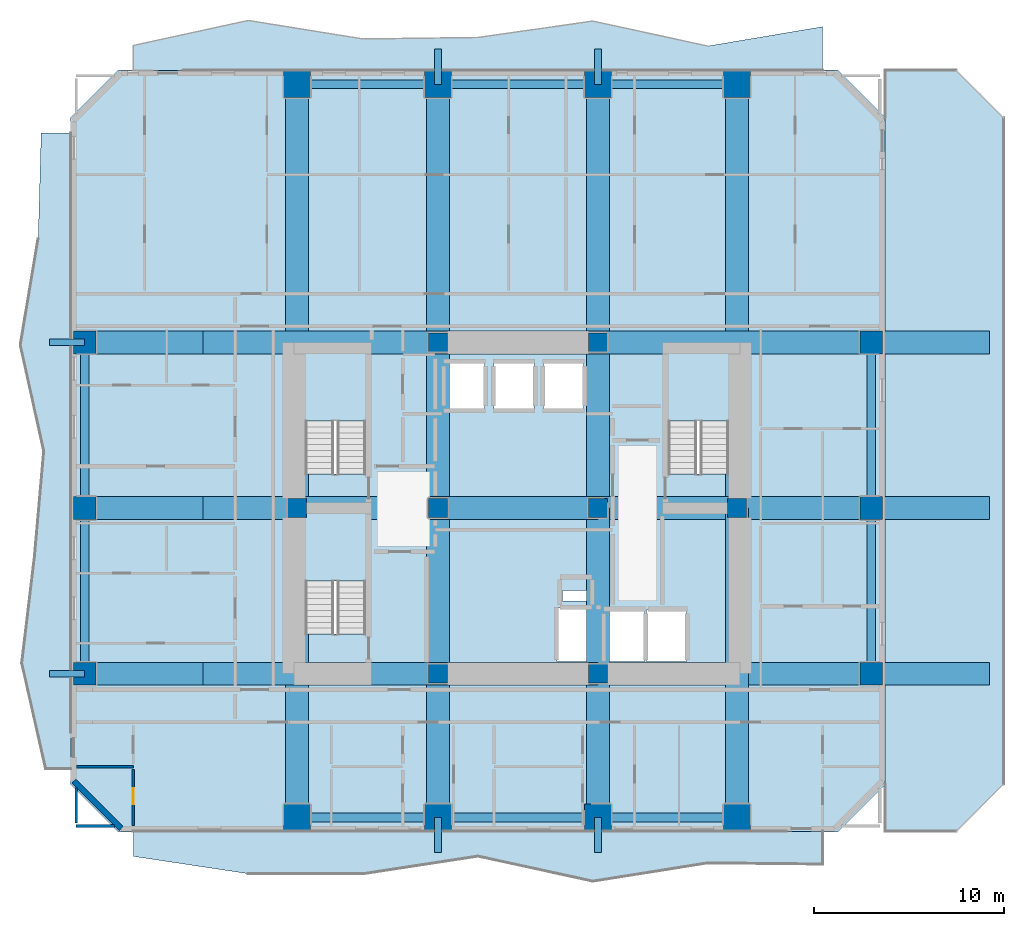
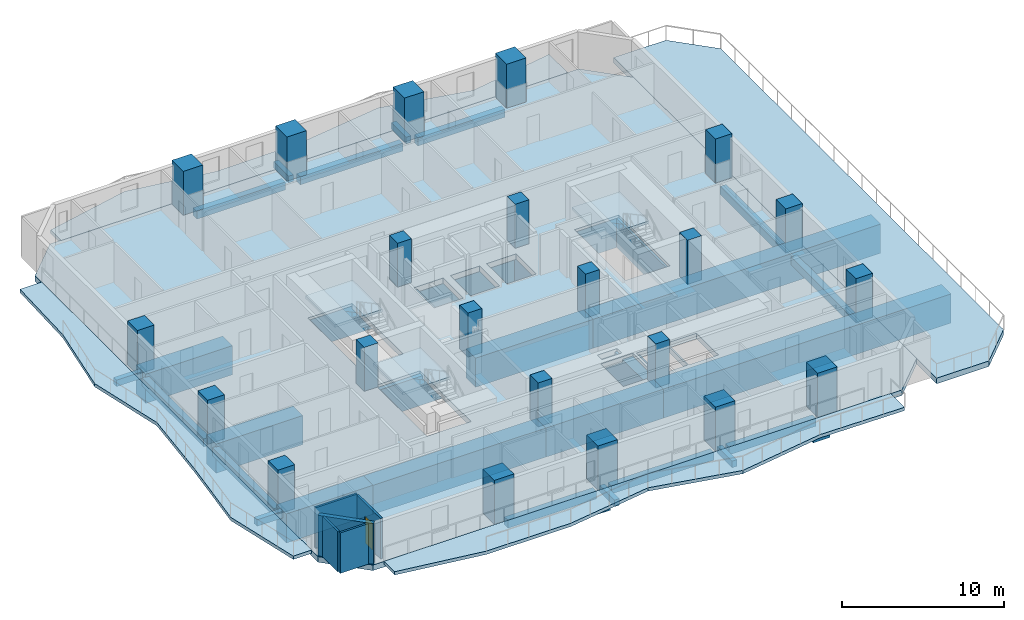
# One storey, part 1 of 12: 36 beams, 22 columns, 8 slabs, 5 walls, 1 door, 1 opening, 3 elements without a shape of their own.
"""IFC4 building model written with IfcOpenShell, lengths in metres."""

from ifc_helpers import new_model, si_unit, direction, frame, frame_2d, origin, origin_2d, place, context, subcontext, project, spatial, polyline, rectangle, outline, extrude, material, layer, layer_set, material_profile, profile_set, type_object, element, fill, aggregate, save


model = new_model("IFC4")

# Units and contexts
model_context = context("Model", 3, precision=1e-05, world=origin(), true_north=direction((0.0, 1.0)))
body_context = subcontext(model_context, "Body", "Model", "MODEL_VIEW")
ifc_project = project(units=[si_unit("LENGTHUNIT", "METRE"), si_unit("AREAUNIT", "SQUARE_METRE"), si_unit("VOLUMEUNIT", "CUBIC_METRE"), si_unit("PLANEANGLEUNIT", "RADIAN"), si_unit("MASSUNIT", "GRAM", prefix="KILO")], contexts=[model_context])

# Site, building, storey
site_placement = place(None, origin())
site = spatial("IfcSite", under=ifc_project, at=site_placement, CompositionType="ELEMENT")
building_placement = place(site_placement, origin())
building = spatial("IfcBuilding", under=site, at=building_placement, Name="Solanera Arch Residences", CompositionType="ELEMENT")
storey_placement = place(building_placement, frame((0.0, 0.0, 81.760009765625)))
storey = spatial("IfcBuildingStorey", under=building, at=storey_placement, Name="L23", CompositionType="ELEMENT", Elevation=81.760009765625)

# Columns
ifc_material_1 = material(Name="Concrete C55/67 (f'c = 60 MPa)", Category="concrete")
ifc_material_profile_1 = material_profile(ifc_material_1, rectangle(XDim=1.0, YDim=1.0, at=origin_2d()))
ifc_profile_set_1 = profile_set([ifc_material_profile_1], Name="Concrete C55/67 (f'c = 60 MPa)")
column_type_1 = type_object("IfcColumnType", Name="Structural Column RC-COL-1000X1000", PredefinedType="COLUMN", material=ifc_profile_set_1)
for number, where, z_axis, x_axis, name in (
    (1, (20.800048828125, 22.0, 0.0), (0.0, 0.0, 1.0), (1.0, 0.0, 0.0), "COL-L23-CB-SW"),
    (2, (29.199951171875, 22.0, 0.0), (0.0, 0.0, 1.0), (1.0, 0.0, 0.0), "COL-L23-CB-SE"),
    (3, (20.800048828125, 39.39990234375, 0.0), (0.0, 0.0, 1.0), (1.0, 0.0, 0.0), "COL-L23-CB-NW"),
    (4, (29.199951171875, 39.39990234375, 0.0), (0.0, 0.0, 1.0), (1.0, 0.0, 0.0), "COL-L23-CB-NE"),
    (5, (13.39990234375, 30.699951171875, 0.0), (0.0, 0.0, 1.0), (1.0, 0.0, 0.0), "COL-L23-CB-WW"),
    (6, (36.5, 30.699951171875, 0.0), (0.0, 0.0, 1.0), (1.0, 0.0, 0.0), "COL-L23-CB-EE"),
    (7, (20.800048828125, 30.699951171875, 0.0), (0.0, 0.0, 1.0), (1.0, 0.0, 0.0), "COL-L23-CORE-W"),
    (8, (29.199951171875, 30.699951171875, 0.0), (0.0, 0.0, 1.0), (1.0, 0.0, 0.0), "COL-L23-CORE-E"),
):
    element("IfcColumn", number, at=place(storey_placement, frame(where, z_axis=z_axis, x_axis=x_axis)), inside=storey, type_object=column_type_1, Name=name, PredefinedType="COLUMN", context=body_context, shape_type="SweptSolid", body=[
        extrude(rectangle(XDim=1.0, YDim=1.0, at=origin_2d()), origin(), (0.0, 0.0, 1.0), 3.320068359375),
    ])
ifc_material_2 = material(Name="Concrete C55/67 (f'c = 60 MPa)", Category="concrete")
ifc_material_profile_2 = material_profile(ifc_material_2, rectangle(XDim=1.199951171875, YDim=1.199951171875, at=origin_2d()))
ifc_profile_set_2 = profile_set([ifc_material_profile_2], Name="Concrete C55/67 (f'c = 60 MPa)")
column_type_2 = type_object("IfcColumnType", Name="Structural Column RC-COL-1200X1200", PredefinedType="COLUMN", material=ifc_profile_set_2)
for number, where, z_axis, x_axis, name in (
    (9, (2.25, 22.0, -0.199951171875), (0.0, 0.0, 1.0), (1.0, 0.0, 0.0), "COL-L23-TWR-09"),
    (10, (43.550048828125, 22.0, -0.199951171875), (0.0, 0.0, 1.0), (1.0, 0.0, 0.0), "COL-L23-TWR-10"),
    (11, (2.25, 30.699951171875, -0.199951171875), (0.0, 0.0, 1.0), (1.0, 0.0, 0.0), "COL-L23-TWR-11"),
    (12, (43.550048828125, 30.699951171875, -0.199951171875), (0.0, 0.0, 1.0), (1.0, 0.0, 0.0), "COL-L23-TWR-12"),
    (13, (2.25, 39.39990234375, -0.199951171875), (0.0, 0.0, 1.0), (1.0, 0.0, 0.0), "COL-L23-TWR-13"),
    (14, (43.550048828125, 39.39990234375, -0.199951171875), (0.0, 0.0, 1.0), (1.0, 0.0, 0.0), "COL-L23-TWR-14"),
):
    element("IfcColumn", number, at=place(storey_placement, frame(where, z_axis=z_axis, x_axis=x_axis)), inside=storey, type_object=column_type_2, Name=name, PredefinedType="COLUMN", context=body_context, shape_type="SweptSolid", body=[
        extrude(rectangle(XDim=1.199951171875, YDim=1.199951171875, at=origin_2d()), origin(), (0.0, 0.0, 1.0), 3.52001953125),
    ])
ifc_material_3 = material(Name="Concrete C55/67 (f'c = 60 MPa)", Category="concrete")
ifc_material_profile_3 = material_profile(ifc_material_3, rectangle(XDim=1.39990234375, YDim=1.39990234375, at=origin_2d()))
ifc_profile_set_3 = profile_set([ifc_material_profile_3], Name="Concrete C55/67 (f'c = 60 MPa)")
column_type_3 = type_object("IfcColumnType", Name="Structural Column RC-COL-1400X1400", PredefinedType="COLUMN", material=ifc_profile_set_3)
for number, where, z_axis, x_axis, name in (
    (15, (13.39990234375, 14.449951171875, -0.199951171875), (0.0, 0.0, 1.0), (1.0, 0.0, 0.0), "COL-L23-TWR-01"),
    (16, (13.39990234375, 52.949951171875, -0.199951171875), (0.0, 0.0, 1.0), (1.0, 0.0, 0.0), "COL-L23-TWR-02"),
    (17, (20.800048828125, 14.449951171875, -0.199951171875), (0.0, 0.0, 1.0), (1.0, 0.0, 0.0), "COL-L23-TWR-03"),
    (18, (20.800048828125, 52.949951171875, -0.199951171875), (0.0, 0.0, 1.0), (1.0, 0.0, 0.0), "COL-L23-TWR-04"),
    (19, (29.199951171875, 14.449951171875, -0.199951171875), (0.0, 0.0, 1.0), (1.0, 0.0, 0.0), "COL-L23-TWR-05"),
    (20, (29.199951171875, 52.949951171875, -0.199951171875), (0.0, 0.0, 1.0), (1.0, 0.0, 0.0), "COL-L23-TWR-06"),
    (21, (36.5, 14.449951171875, -0.199951171875), (0.0, 0.0, 1.0), (1.0, 0.0, 0.0), "COL-L23-TWR-07"),
    (22, (36.5, 52.949951171875, -0.199951171875), (0.0, 0.0, 1.0), (1.0, 0.0, 0.0), "COL-L23-TWR-08"),
):
    element("IfcColumn", number, at=place(storey_placement, frame(where, z_axis=z_axis, x_axis=x_axis)), inside=storey, type_object=column_type_3, Name=name, PredefinedType="COLUMN", context=body_context, shape_type="SweptSolid", body=[
        extrude(rectangle(XDim=1.39990234375, YDim=1.39990234375, at=origin_2d()), origin(), (0.0, 0.0, 1.0), 3.52001953125),
    ])

# Beams
ifc_material_4 = material(Name="Concrete C40/50 (f'c = 45 MPa)", Category="concrete")
ifc_material_profile_4 = material_profile(ifc_material_4, rectangle(XDim=0.35009765625, YDim=0.5, at=origin_2d()))
ifc_profile_set_4 = profile_set([ifc_material_profile_4], Name="Concrete C40/50 (f'c = 45 MPa)")
beam_type_1 = type_object("IfcBeamType", Name="BM-BALC-RIB", PredefinedType="BEAM", material=ifc_profile_set_4)
for number, where, z_axis, x_axis, name in (
    (23, (20.800048828125, 12.60009765625, -0.5), (0.0, 1.0, 0.0), (-1.0, 0.0, 0.0), "BM-L23-BRIB-S1"),
    (24, (29.199951171875, 12.60009765625, -0.5), (0.0, 1.0, 0.0), (-1.0, 0.0, 0.0), "BM-L23-BRIB-S2"),
):
    element("IfcBeam", number, at=place(storey_placement, frame(where, z_axis=z_axis, x_axis=x_axis)), inside=storey, type_object=beam_type_1, Name=name, PredefinedType="BEAM", context=body_context, shape_type="SweptSolid", body=[
        extrude(rectangle(XDim=0.35009765625, YDim=0.5, at=origin_2d()), origin(), (0.0, 0.0, 1.0), 1.849853515625),
    ])
for number, where, z_axis, x_axis, name in (
    (25, (20.800048828125, 52.949951171875, -0.5), (0.0, 1.0, 0.0), (-1.0, 0.0, 0.0), "BM-L23-BRIB-N1"),
    (26, (29.199951171875, 52.949951171875, -0.5), (0.0, 1.0, 0.0), (-1.0, 0.0, 0.0), "BM-L23-BRIB-N2"),
    (27, (0.39990234375, 22.0, -0.5), (1.0, 0.0, 0.0), (0.0, 1.0, 0.0), "BM-L23-BRIB-W1"),
    (28, (0.39990234375, 39.39990234375, -0.5), (1.0, 0.0, 0.0), (0.0, 1.0, 0.0), "BM-L23-BRIB-W2"),
):
    element("IfcBeam", number, at=place(storey_placement, frame(where, z_axis=z_axis, x_axis=x_axis)), inside=storey, type_object=beam_type_1, Name=name, PredefinedType="BEAM", context=body_context, shape_type="SweptSolid", body=[
        extrude(rectangle(XDim=0.35009765625, YDim=0.5, at=origin_2d()), origin(), (0.0, 0.0, 1.0), 1.85009765625),
    ])
ifc_material_5 = material(Name="Concrete C55/67 (f'c = 60 MPa)", Category="concrete")
ifc_material_profile_5 = material_profile(ifc_material_5, rectangle(XDim=1.199951171875, YDim=2.199951171875, at=origin_2d()))
ifc_profile_set_5 = profile_set([ifc_material_profile_5], Name="Concrete C55/67 (f'c = 60 MPa)")
beam_type_2 = type_object("IfcBeamType", Name="BM-CANT-BLOCK", PredefinedType="BEAM", material=ifc_profile_set_5)
for number, where, z_axis, x_axis, name in (
    (29, (2.25, 22.0, -1.300048828125), (1.0, 0.0, 0.0), (0.0, 1.0, 0.0), "BM-L23-CANT-EW-W-220"),
    (30, (2.25, 30.699951171875, -1.300048828125), (1.0, 0.0, 0.0), (0.0, 1.0, 0.0), "BM-L23-CANT-EW-W-307"),
    (31, (2.25, 39.39990234375, -1.300048828125), (1.0, 0.0, 0.0), (0.0, 1.0, 0.0), "BM-L23-CANT-EW-W-394"),
):
    element("IfcBeam", number, at=place(storey_placement, frame(where, z_axis=z_axis, x_axis=x_axis)), inside=storey, type_object=beam_type_2, Name=name, PredefinedType="BEAM", context=body_context, shape_type="SweptSolid", body=[
        extrude(rectangle(XDim=1.199951171875, YDim=2.199951171875, at=origin_2d()), origin(), (0.0, 0.0, 1.0), 6.199951171875),
    ])
ifc_material_6 = material(Name="Concrete C40/50 (f'c = 45 MPa)", Category="concrete")
ifc_material_profile_6 = material_profile(ifc_material_6, rectangle(XDim=0.449951171875, YDim=0.60009765625, at=origin_2d()))
ifc_profile_set_6 = profile_set([ifc_material_profile_6], Name="Concrete C40/50 (f'c = 45 MPa)")
beam_type_3 = type_object("IfcBeamType", Name="Spandrel Beam RC-BM-450X600", PredefinedType="SPANDREL", material=ifc_profile_set_6)
for number, where, z_axis, x_axis, name in (
    (32, (13.93994140625, 14.449951171875, -0.719970703125), (1.0, 0.0, 0.0), (0.0, 1.0, 0.0), "BM-L23-XRING-S-1"),
    (33, (13.93994140625, 52.949951171875, -0.719970703125), (1.0, 0.0, 0.0), (0.0, 1.0, 0.0), "BM-L23-XRING-N-1"),
):
    element("IfcBeam", number, at=place(storey_placement, frame(where, z_axis=z_axis, x_axis=x_axis)), inside=storey, type_object=beam_type_3, Name=name, PredefinedType="SPANDREL", context=body_context, shape_type="SweptSolid", body=[
        extrude(rectangle(XDim=0.449951171875, YDim=0.60009765625, at=origin_2d()), origin(), (0.0, 0.0, 1.0), 6.320068359375),
    ])
for number, where, z_axis, x_axis, name in (
    (34, (21.340087890625, 14.449951171875, -0.719970703125), (1.0, 0.0, 0.0), (0.0, 1.0, 0.0), "BM-L23-XRING-S-2"),
    (35, (21.340087890625, 52.949951171875, -0.719970703125), (1.0, 0.0, 0.0), (0.0, 1.0, 0.0), "BM-L23-XRING-N-2"),
):
    element("IfcBeam", number, at=place(storey_placement, frame(where, z_axis=z_axis, x_axis=x_axis)), inside=storey, type_object=beam_type_3, Name=name, PredefinedType="SPANDREL", context=body_context, shape_type="SweptSolid", body=[
        extrude(rectangle(XDim=0.449951171875, YDim=0.60009765625, at=origin_2d()), origin(), (0.0, 0.0, 1.0), 7.31982421875),
    ])
for number, where, z_axis, x_axis, name in (
    (36, (29.739990234375, 14.449951171875, -0.719970703125), (1.0, 0.0, 0.0), (0.0, 1.0, 0.0), "BM-L23-XRING-S-3"),
    (37, (29.739990234375, 52.949951171875, -0.719970703125), (1.0, 0.0, 0.0), (0.0, 1.0, 0.0), "BM-L23-XRING-N-3"),
):
    element("IfcBeam", number, at=place(storey_placement, frame(where, z_axis=z_axis, x_axis=x_axis)), inside=storey, type_object=beam_type_3, Name=name, PredefinedType="SPANDREL", context=body_context, shape_type="SweptSolid", body=[
        extrude(rectangle(XDim=0.449951171875, YDim=0.60009765625, at=origin_2d()), origin(), (0.0, 0.0, 1.0), 6.219970703125),
    ])
for number, where, z_axis, x_axis, name in (
    (38, (2.25, 22.5400390625, -0.719970703125), (0.0, 1.0, 0.0), (-1.0, 0.0, 0.0), "BM-L23-XRING-W-1"),
    (39, (43.550048828125, 22.5400390625, -0.719970703125), (0.0, 1.0, 0.0), (-1.0, 0.0, 0.0), "BM-L23-XRING-E-1"),
):
    element("IfcBeam", number, at=place(storey_placement, frame(where, z_axis=z_axis, x_axis=x_axis)), inside=storey, type_object=beam_type_3, Name=name, PredefinedType="SPANDREL", context=body_context, shape_type="SweptSolid", body=[
        extrude(rectangle(XDim=0.449951171875, YDim=0.60009765625, at=origin_2d()), origin(), (0.0, 0.0, 1.0), 7.619873046875),
    ])
for number, where, z_axis, x_axis, name in (
    (40, (2.25, 31.239990234375, -0.719970703125), (0.0, 1.0, 0.0), (-1.0, 0.0, 0.0), "BM-L23-XRING-W-2"),
    (41, (43.550048828125, 31.239990234375, -0.719970703125), (0.0, 1.0, 0.0), (-1.0, 0.0, 0.0), "BM-L23-XRING-E-2"),
):
    element("IfcBeam", number, at=place(storey_placement, frame(where, z_axis=z_axis, x_axis=x_axis)), inside=storey, type_object=beam_type_3, Name=name, PredefinedType="SPANDREL", context=body_context, shape_type="SweptSolid", body=[
        extrude(rectangle(XDim=0.449951171875, YDim=0.60009765625, at=origin_2d()), origin(), (0.0, 0.0, 1.0), 7.6201171875),
    ])
ifc_material_7 = material(Name="Concrete C55/67 (f'c = 60 MPa)", Category="concrete")
ifc_material_profile_7 = material_profile(ifc_material_7, rectangle(XDim=1.199951171875, YDim=2.199951171875, at=origin_2d()))
ifc_profile_set_7 = profile_set([ifc_material_profile_7], Name="Concrete C55/67 (f'c = 60 MPa)")
beam_type_4 = type_object("IfcBeamType", Name="Transfer Girder RC-BM-1200X2200", PredefinedType="BEAM", material=ifc_profile_set_7)
beam_1_placement = place(storey_placement, frame((13.39990234375, 14.449951171875, -1.300048828125), z_axis=(0.0, 1.0, 0.0), x_axis=(-1.0, 0.0, 0.0)))
element("IfcBeam", 42, at=beam_1_placement, inside=storey, type_object=beam_type_4, Name="BM-L23-XFER-NS-S-134", PredefinedType="BEAM", context=body_context, shape_type="SweptSolid", body=[
    extrude(rectangle(XDim=1.199951171875, YDim=2.199951171875, at=origin_2d()), origin(), (0.0, 0.0, 1.0), 16.25),
])
beam_2_placement = place(storey_placement, frame((13.39990234375, 30.699951171875, -1.300048828125), z_axis=(0.0, 1.0, 0.0), x_axis=(-1.0, 0.0, 0.0)))
element("IfcBeam", 43, at=beam_2_placement, inside=storey, type_object=beam_type_4, Name="BM-L23-XFER-NS-N-134", PredefinedType="BEAM", context=body_context, shape_type="SweptSolid", body=[
    extrude(rectangle(XDim=1.199951171875, YDim=2.199951171875, at=origin_2d()), origin(), (0.0, 0.0, 1.0), 22.25),
])
beam_3_placement = place(storey_placement, frame((20.800048828125, 14.449951171875, -1.300048828125), z_axis=(0.0, 1.0, 0.0), x_axis=(-1.0, 0.0, 0.0)))
element("IfcBeam", 44, at=beam_3_placement, inside=storey, type_object=beam_type_4, Name="BM-L23-XFER-NS-S-208", PredefinedType="BEAM", context=body_context, shape_type="SweptSolid", body=[
    extrude(rectangle(XDim=1.199951171875, YDim=2.199951171875, at=origin_2d()), origin(), (0.0, 0.0, 1.0), 16.25),
])
beam_4_placement = place(storey_placement, frame((20.800048828125, 30.699951171875, -1.300048828125), z_axis=(0.0, 1.0, 0.0), x_axis=(-1.0, 0.0, 0.0)))
element("IfcBeam", 45, at=beam_4_placement, inside=storey, type_object=beam_type_4, Name="BM-L23-XFER-NS-N-208", PredefinedType="BEAM", context=body_context, shape_type="SweptSolid", body=[
    extrude(rectangle(XDim=1.199951171875, YDim=2.199951171875, at=origin_2d()), origin(), (0.0, 0.0, 1.0), 22.25),
])
beam_5_placement = place(storey_placement, frame((29.199951171875, 14.449951171875, -1.300048828125), z_axis=(0.0, 1.0, 0.0), x_axis=(-1.0, 0.0, 0.0)))
element("IfcBeam", 46, at=beam_5_placement, inside=storey, type_object=beam_type_4, Name="BM-L23-XFER-NS-S-292", PredefinedType="BEAM", context=body_context, shape_type="SweptSolid", body=[
    extrude(rectangle(XDim=1.199951171875, YDim=2.199951171875, at=origin_2d()), origin(), (0.0, 0.0, 1.0), 16.25),
])
beam_6_placement = place(storey_placement, frame((29.199951171875, 30.699951171875, -1.300048828125), z_axis=(0.0, 1.0, 0.0), x_axis=(-1.0, 0.0, 0.0)))
element("IfcBeam", 47, at=beam_6_placement, inside=storey, type_object=beam_type_4, Name="BM-L23-XFER-NS-N-292", PredefinedType="BEAM", context=body_context, shape_type="SweptSolid", body=[
    extrude(rectangle(XDim=1.199951171875, YDim=2.199951171875, at=origin_2d()), origin(), (0.0, 0.0, 1.0), 22.25),
])
beam_7_placement = place(storey_placement, frame((36.5, 14.449951171875, -1.300048828125), z_axis=(0.0, 1.0, 0.0), x_axis=(-1.0, 0.0, 0.0)))
element("IfcBeam", 48, at=beam_7_placement, inside=storey, type_object=beam_type_4, Name="BM-L23-XFER-NS-S-365", PredefinedType="BEAM", context=body_context, shape_type="SweptSolid", body=[
    extrude(rectangle(XDim=1.199951171875, YDim=2.199951171875, at=origin_2d()), origin(), (0.0, 0.0, 1.0), 16.25),
])
beam_8_placement = place(storey_placement, frame((36.5, 30.699951171875, -1.300048828125), z_axis=(0.0, 1.0, 0.0), x_axis=(-1.0, 0.0, 0.0)))
element("IfcBeam", 49, at=beam_8_placement, inside=storey, type_object=beam_type_4, Name="BM-L23-XFER-NS-N-365", PredefinedType="BEAM", context=body_context, shape_type="SweptSolid", body=[
    extrude(rectangle(XDim=1.199951171875, YDim=2.199951171875, at=origin_2d()), origin(), (0.0, 0.0, 1.0), 22.25),
])
beam_9_placement = place(storey_placement, frame((8.449951171875, 22.0, -1.300048828125), z_axis=(1.0, 0.0, 0.0), x_axis=(0.0, 1.0, 0.0)))
element("IfcBeam", 50, at=beam_9_placement, inside=storey, type_object=beam_type_4, Name="BM-L23-XFER-EW-W-220", PredefinedType="BEAM", context=body_context, shape_type="SweptSolid", body=[
    extrude(rectangle(XDim=1.199951171875, YDim=2.199951171875, at=origin_2d()), origin(), (0.0, 0.0, 1.0), 12.35009765625),
])
beam_10_placement = place(storey_placement, frame((20.800048828125, 22.0, -1.300048828125), z_axis=(1.0, 0.0, 0.0), x_axis=(0.0, 1.0, 0.0)))
element("IfcBeam", 51, at=beam_10_placement, inside=storey, type_object=beam_type_4, Name="BM-L23-XFER-EW-C-220", PredefinedType="BEAM", context=body_context, shape_type="SweptSolid", body=[
    extrude(rectangle(XDim=1.199951171875, YDim=2.199951171875, at=origin_2d()), origin(), (0.0, 0.0, 1.0), 8.39990234375),
])
beam_11_placement = place(storey_placement, frame((29.199951171875, 22.0, -1.300048828125), z_axis=(1.0, 0.0, 0.0), x_axis=(0.0, 1.0, 0.0)))
element("IfcBeam", 52, at=beam_11_placement, inside=storey, type_object=beam_type_4, Name="BM-L23-XFER-EW-E-220", PredefinedType="BEAM", context=body_context, shape_type="SweptSolid", body=[
    extrude(rectangle(XDim=1.199951171875, YDim=2.199951171875, at=origin_2d()), origin(), (0.0, 0.0, 1.0), 20.550048828125),
])
beam_12_placement = place(storey_placement, frame((8.449951171875, 30.699951171875, -1.300048828125), z_axis=(1.0, 0.0, 0.0), x_axis=(0.0, 1.0, 0.0)))
element("IfcBeam", 53, at=beam_12_placement, inside=storey, type_object=beam_type_4, Name="BM-L23-XFER-EW-W-307", PredefinedType="BEAM", context=body_context, shape_type="SweptSolid", body=[
    extrude(rectangle(XDim=1.199951171875, YDim=2.199951171875, at=origin_2d()), origin(), (0.0, 0.0, 1.0), 12.35009765625),
])
beam_13_placement = place(storey_placement, frame((20.800048828125, 30.699951171875, -1.300048828125), z_axis=(1.0, 0.0, 0.0), x_axis=(0.0, 1.0, 0.0)))
element("IfcBeam", 54, at=beam_13_placement, inside=storey, type_object=beam_type_4, Name="BM-L23-XFER-EW-C-307", PredefinedType="BEAM", context=body_context, shape_type="SweptSolid", body=[
    extrude(rectangle(XDim=1.199951171875, YDim=2.199951171875, at=origin_2d()), origin(), (0.0, 0.0, 1.0), 8.39990234375),
])
beam_14_placement = place(storey_placement, frame((29.199951171875, 30.699951171875, -1.300048828125), z_axis=(1.0, 0.0, 0.0), x_axis=(0.0, 1.0, 0.0)))
element("IfcBeam", 55, at=beam_14_placement, inside=storey, type_object=beam_type_4, Name="BM-L23-XFER-EW-E-307", PredefinedType="BEAM", context=body_context, shape_type="SweptSolid", body=[
    extrude(rectangle(XDim=1.199951171875, YDim=2.199951171875, at=origin_2d()), origin(), (0.0, 0.0, 1.0), 20.550048828125),
])
beam_15_placement = place(storey_placement, frame((8.449951171875, 39.39990234375, -1.300048828125), z_axis=(1.0, 0.0, 0.0), x_axis=(0.0, 1.0, 0.0)))
element("IfcBeam", 56, at=beam_15_placement, inside=storey, type_object=beam_type_4, Name="BM-L23-XFER-EW-W-394", PredefinedType="BEAM", context=body_context, shape_type="SweptSolid", body=[
    extrude(rectangle(XDim=1.199951171875, YDim=2.199951171875, at=origin_2d()), origin(), (0.0, 0.0, 1.0), 12.35009765625),
])
beam_16_placement = place(storey_placement, frame((20.800048828125, 39.39990234375, -1.300048828125), z_axis=(1.0, 0.0, 0.0), x_axis=(0.0, 1.0, 0.0)))
element("IfcBeam", 57, at=beam_16_placement, inside=storey, type_object=beam_type_4, Name="BM-L23-XFER-EW-C-394", PredefinedType="BEAM", context=body_context, shape_type="SweptSolid", body=[
    extrude(rectangle(XDim=1.199951171875, YDim=2.199951171875, at=origin_2d()), origin(), (0.0, 0.0, 1.0), 8.39990234375),
])
beam_17_placement = place(storey_placement, frame((29.199951171875, 39.39990234375, -1.300048828125), z_axis=(1.0, 0.0, 0.0), x_axis=(0.0, 1.0, 0.0)))
element("IfcBeam", 58, at=beam_17_placement, inside=storey, type_object=beam_type_4, Name="BM-L23-XFER-EW-E-394", PredefinedType="BEAM", context=body_context, shape_type="SweptSolid", body=[
    extrude(rectangle(XDim=1.199951171875, YDim=2.199951171875, at=origin_2d()), origin(), (0.0, 0.0, 1.0), 20.550048828125),
])

# Slabs
ifc_material_8 = material(Name="Concrete C40/50 (f'c = 45 MPa)", Category="concrete")
ifc_layer_1 = layer(ifc_material_8, 0.25)
ifc_layer_set_1 = layer_set([ifc_layer_1], Name="Concrete C40/50 (f'c = 45 MPa)")
slab_type_1 = type_object("IfcSlabType", Name="Balcony Slab 250", PredefinedType="FLOOR", material=ifc_layer_set_1)
slab_1_placement = place(storey_placement, frame((0.0, 0.0, -0.25)))
element("IfcSlab", 59, at=slab_1_placement, inside=storey, type_object=slab_type_1, Name="L23 S Rippling Brise-Soleil Balcony Slab", PredefinedType="FLOOR", context=body_context, shape_type="SweptSolid", body=[
    extrude(outline(polyline([(4.800048828125, 12.408935546875), (10.8330078125, 11.4970703125), (16.866943359375, 11.488037109375), (22.89990234375, 12.412109375), (28.93310546875, 11.096923828125), (34.967041015625, 12.056884765625), (41.0, 11.9970703125), (41.0, 13.719970703125), (4.800048828125, 13.719970703125), (4.800048828125, 12.408935546875)])), origin(), (0.0, 0.0, 1.0), 0.25),
])
slab_2_placement = place(storey_placement, frame((0.0, 0.0, -0.25)))
element("IfcSlab", 60, at=slab_2_placement, inside=storey, type_object=slab_type_1, Name="L23 N Rippling Brise-Soleil Balcony Slab", PredefinedType="FLOOR", context=body_context, shape_type="SweptSolid", body=[
    extrude(outline(polyline([(41.0, 55.97900390625), (34.967041015625, 54.9619140625), (28.93310546875, 56.27294921875), (22.89990234375, 55.412109375), (16.866943359375, 55.333984375), (10.8330078125, 56.305908203125), (4.800048828125, 54.990966796875), (4.800048828125, 53.679931640625), (41.0, 53.679931640625), (41.0, 55.97900390625)])), origin(), (0.0, 0.0, 1.0), 0.25),
])
slab_3_placement = place(storey_placement, frame((0.0, 0.0, -0.25)))
element("IfcSlab", 61, at=slab_3_placement, inside=storey, type_object=slab_type_1, Name="L23 W Rippling Brise-Soleil Balcony Slab", PredefinedType="FLOOR", context=body_context, shape_type="SweptSolid", body=[
    extrude(outline(polyline([(-0.0380859375, 50.39990234375), (-0.194091796875, 44.8330078125), (-1.1259765625, 39.26708984375), (0.10595703125, 33.699951171875), (-0.384033203125, 28.133056640625), (-1.050048828125, 22.56689453125), (0.208984375, 17.0), (1.52001953125, 17.0), (1.52001953125, 50.39990234375), (-0.0380859375, 50.39990234375)])), origin(), (0.0, 0.0, 1.0), 0.25),
])

# Stair, slab
ifc_material_9 = material(Name="Concrete C40/50 (f'c = 45 MPa)", Category="concrete")
stair_type = type_object("IfcStairType", Name="Tower Dogleg Exit Stair 1480", PredefinedType="HALF_TURN_STAIR", material=ifc_material_9)
stair_1_placement = place(storey_placement, origin())
stair_1 = element("IfcStair", 62, at=stair_1_placement, inside=storey, type_object=stair_type, Name="L23 Tower Core Exit Stair 1", PredefinedType="HALF_TURN_STAIR")
ifc_material_10 = material(Name="Concrete C40/50 (f'c = 45 MPa)", Category="concrete")
ifc_layer_2 = layer(ifc_material_10, 0.199951171875)
ifc_layer_set_2 = layer_set([ifc_layer_2], Name="Concrete C40/50 (f'c = 45 MPa)")
slab_type_2 = type_object("IfcSlabType", Name="Stair Half-Landing Slab 200", PredefinedType="LANDING", material=ifc_layer_set_2)
slab_4_placement = place(storey_placement, frame((0.0, 0.0, 1.4599609375)))
slab_4 = element("IfcSlab", 63, at=slab_4_placement, type_object=slab_type_2, Name="ST-T1 landing 1", PredefinedType="LANDING", context=body_context, shape_type="SweptSolid", body=[
    extrude(outline(polyline([(17.1201171875, 35.260009765625), (17.1201171875, 38.919921875), (13.719970703125, 38.919921875), (13.719970703125, 35.260009765625), (17.1201171875, 35.260009765625)])), origin(), (0.0, 0.0, 1.0), 0.199951171875),
])
aggregate(stair_1, [slab_4])

stair_2_placement = place(storey_placement, origin())
stair_2 = element("IfcStair", 64, at=stair_2_placement, inside=storey, type_object=stair_type, Name="L23 Tower Core Exit Stair 2", PredefinedType="HALF_TURN_STAIR")
slab_5_placement = place(storey_placement, frame((0.0, 0.0, 1.4599609375)))
slab_5 = element("IfcSlab", 65, at=slab_5_placement, type_object=slab_type_2, Name="ST-T2 landing 1", PredefinedType="LANDING", context=body_context, shape_type="SweptSolid", body=[
    extrude(outline(polyline([(36.179931640625, 35.260009765625), (36.179931640625, 38.919921875), (32.780029296875, 38.919921875), (32.780029296875, 35.260009765625), (36.179931640625, 35.260009765625)])), origin(), (0.0, 0.0, 1.0), 0.199951171875),
])
aggregate(stair_2, [slab_5])

stair_3_placement = place(storey_placement, origin())
stair_3 = element("IfcStair", 66, at=stair_3_placement, inside=storey, type_object=stair_type, Name="L23 Tower Core Exit Stair 3", PredefinedType="HALF_TURN_STAIR")
slab_6_placement = place(storey_placement, frame((0.0, 0.0, 1.4599609375)))
slab_6 = element("IfcSlab", 67, at=slab_6_placement, type_object=slab_type_2, Name="ST-T3 landing 1", PredefinedType="LANDING", context=body_context, shape_type="SweptSolid", body=[
    extrude(outline(polyline([(17.1201171875, 26.860107421875), (17.1201171875, 30.52001953125), (13.719970703125, 30.52001953125), (13.719970703125, 26.860107421875), (17.1201171875, 26.860107421875)])), origin(), (0.0, 0.0, 1.0), 0.199951171875),
])
aggregate(stair_3, [slab_6])

# Slabs
ifc_material_11 = material(Name="Concrete C40/50 (f'c = 45 MPa)", Category="concrete")
ifc_layer_3 = layer(ifc_material_11, 0.419921875)
ifc_layer_set_3 = layer_set([ifc_layer_3], Name="Concrete C40/50 (f'c = 45 MPa)")
slab_type_3 = type_object("IfcSlabType", Name="Suspended Floor Slab Post-Tensioned 420", PredefinedType="FLOOR", material=ifc_layer_set_3)
slab_7_placement = place(storey_placement, frame((0.0, 0.0, -0.419921875)))
element("IfcSlab", 68, at=slab_7_placement, inside=storey, type_object=slab_type_3, Name="L23 Tower Post-Tensioned Floor Slab", PredefinedType="FLOOR", context=body_context, shape_type="SweptSolid", body=[
    extrude(outline(polyline([(4.0, 13.699951171875), (41.800048828125, 13.699951171875), (44.300048828125, 16.199951171875), (44.300048828125, 51.199951171875), (41.800048828125, 53.699951171875), (4.0, 53.699951171875), (1.5, 51.199951171875), (1.5, 16.199951171875), (4.0, 13.699951171875)]), holes=[polyline([(13.840087890625, 32.48291015625), (13.840087890625, 38.800048828125), (17.0, 38.800048828125), (17.0, 32.48291015625), (13.840087890625, 32.48291015625)]), polyline([(32.89990234375, 32.48291015625), (32.89990234375, 38.800048828125), (36.06005859375, 38.800048828125), (36.06005859375, 32.48291015625), (32.89990234375, 32.48291015625)]), polyline([(13.840087890625, 24.0830078125), (13.840087890625, 30.39990234375), (17.0, 30.39990234375), (17.0, 24.0830078125), (13.840087890625, 24.0830078125)]), polyline([(21.14990234375, 38.35009765625), (23.25, 38.35009765625), (23.25, 35.85009765625), (21.14990234375, 35.85009765625), (21.14990234375, 38.35009765625)]), polyline([(23.75, 38.35009765625), (25.85009765625, 38.35009765625), (25.85009765625, 35.85009765625), (23.75, 35.85009765625), (23.75, 38.35009765625)]), polyline([(26.35009765625, 38.35009765625), (28.449951171875, 38.35009765625), (28.449951171875, 35.85009765625), (26.35009765625, 35.85009765625), (26.35009765625, 38.35009765625)]), polyline([(29.550048828125, 25.35009765625), (31.64990234375, 25.35009765625), (31.64990234375, 22.64990234375), (29.550048828125, 22.64990234375), (29.550048828125, 25.35009765625)]), polyline([(31.75, 25.35009765625), (33.85009765625, 25.35009765625), (33.85009765625, 22.64990234375), (31.75, 22.64990234375), (31.75, 25.35009765625)]), polyline([(27.050048828125, 25.449951171875), (29.35009765625, 25.449951171875), (29.35009765625, 22.64990234375), (27.050048828125, 22.64990234375), (27.050048828125, 25.449951171875)]), polyline([(27.340087890625, 26.3798828125), (28.760009765625, 26.3798828125), (28.760009765625, 25.820068359375), (27.340087890625, 25.820068359375), (27.340087890625, 26.3798828125)])]), origin(), (0.0, 0.0, 1.0), 0.419921875),
])
ifc_material_12 = material(Name="Concrete C40/50 (f'c = 45 MPa)", Category="concrete")
ifc_layer_4 = layer(ifc_material_12, 0.419921875)
ifc_layer_set_4 = layer_set([ifc_layer_4], Name="Concrete C40/50 (f'c = 45 MPa)")
slab_type_4 = type_object("IfcSlabType", Name="Terrace Slab 420", PredefinedType="FLOOR", material=ifc_layer_set_4)
slab_8_placement = place(storey_placement, frame((0.0, 0.0, -0.419921875)))
element("IfcSlab", 69, at=slab_8_placement, inside=storey, type_object=slab_type_4, Name="L23 Planted Sky Terrace Slab 1", PredefinedType="FLOOR", context=body_context, shape_type="SweptSolid", body=[
    extrude(outline(polyline([(48.02001953125, 53.679931640625), (44.280029296875, 53.679931640625), (44.280029296875, 51.19189453125), (44.280029296875, 16.2080078125), (44.280029296875, 13.719970703125), (48.02001953125, 13.719970703125), (50.5, 16.199951171875), (50.5, 51.199951171875), (48.02001953125, 53.679931640625)])), origin(), (0.0, 0.0, 1.0), 0.419921875),
])

# Walls
ifc_material_13 = material(Name="Precast Concrete C35/45", Category="concrete")
ifc_layer_5 = layer(ifc_material_13, 0.300048828125)
ifc_layer_set_5 = layer_set([ifc_layer_5], Name="Precast Concrete C35/45")
wall_type_1 = type_object("IfcWallType", Name="Exterior Wall Precast Masonry-Frame 300", PredefinedType="STANDARD", material=ifc_layer_set_5)
wall_1_placement = place(storey_placement, frame((4.1650390625, 13.864990234375, 0.0), z_axis=(0.0, 0.0, 1.0), x_axis=(-0.707106781187, 0.707106781187, 0.0)))
element("IfcWall", 70, at=wall_1_placement, inside=storey, type_object=wall_type_1, Name="L23 Tower Exterior Precast Masonry-Frame Wall CH7", PredefinedType="STANDARD", context=body_context, shape_type="SweptSolid", body=[
    extrude(rectangle(XDim=3.53564453125, YDim=0.300048828125, at=frame_2d((1.767822265625, 0.0))), origin(), (0.0, 0.0, 1.0), 3.06005859375),
])
ifc_material_14 = material(Name="Autoclaved Aerated Concrete Blockwork", Category="masonry")
ifc_layer_6 = layer(ifc_material_14, 0.139892578125)
ifc_layer_set_6 = layer_set([ifc_layer_6], Name="Autoclaved Aerated Concrete Blockwork")
wall_type_2 = type_object("IfcWallType", Name="Wet-Room Partition 140", PredefinedType="PARTITIONING", material=ifc_layer_set_6)
wall_2_placement = place(storey_placement, frame((1.800048828125, 14.0, 0.0), z_axis=(0.0, 0.0, 1.0), x_axis=(1.0, 0.0, 0.0)))
element("IfcWall", 71, at=wall_2_placement, inside=storey, type_object=wall_type_2, Name="L23 Interior Partition H14 1", PredefinedType="PARTITIONING", context=body_context, shape_type="SweptSolid", body=[
    extrude(rectangle(XDim=2.0009765625, YDim=0.139892578125, at=frame_2d((1.00048828125, 0.0))), origin(), (0.0, 0.0, 1.0), 3.06005859375),
])
wall_3_placement = place(storey_placement, frame((1.826904296875, 17.10693359375, 0.0), z_axis=(0.0, 0.0, 1.0), x_axis=(1.0, 0.0, 0.0)))
element("IfcWall", 72, at=wall_3_placement, inside=storey, type_object=wall_type_2, Name="L23 Interior Partition H15", PredefinedType="PARTITIONING", context=body_context, shape_type="SweptSolid", body=[
    extrude(rectangle(XDim=2.97314453125, YDim=0.139892578125, at=frame_2d((1.486572265625, 0.0))), origin(), (0.0, 0.0, 1.0), 3.06005859375),
])
wall_4_placement = place(storey_placement, frame((1.800048828125, 14.14794921875, 0.0), z_axis=(0.0, 0.0, 1.0), x_axis=(0.0, 1.0, 0.0)))
element("IfcWall", 73, at=wall_4_placement, inside=storey, type_object=wall_type_2, Name="L23 Interior Partition V11", PredefinedType="PARTITIONING", context=body_context, shape_type="SweptSolid", body=[
    extrude(rectangle(XDim=1.85302734375, YDim=0.139892578125, at=frame_2d((0.926513671875, 0.0))), origin(), (0.0, 0.0, 1.0), 3.06005859375),
])

# Wall, opening, door
wall_5_placement = place(storey_placement, frame((4.800048828125, 14.027099609375, 0.0), z_axis=(0.0, 0.0, 1.0), x_axis=(0.0, 1.0, 0.0)))
wall_5 = element("IfcWall", 74, at=wall_5_placement, inside=storey, type_object=wall_type_2, Name="L23 Interior Partition V14 1", PredefinedType="PARTITIONING", context=body_context, shape_type="SweptSolid", body=[
    extrude(rectangle(XDim=2.931884765625, YDim=0.139892578125, at=frame_2d((1.4658203125, 0.0))), origin(), (0.0, 0.0, 1.0), 3.06005859375),
])
opening_placement = place(wall_5_placement, frame((1.10888671875, 0.0, 0.0)))
opening = element("IfcOpeningElement", 75, at=opening_placement, cuts=wall_5, Name="Opening DI-05", PredefinedType="OPENING", context=body_context, shape_type="SweptSolid", body=[
    extrude(rectangle(XDim=0.860107421875, YDim=2.02001953125, at=frame_2d((0.43017578125, 1.010009765625))), frame((0.0, 0.079833984375, 0.0), z_axis=(0.0, -1.0, 0.0), x_axis=(1.0, 0.0, 0.0)), (0.0, 0.0, 1.0), 0.1599),
])
ifc_material_15 = material(Name="Fire-Rated Architectural Hardwood", Category="wood")
door_type = type_object("IfcDoorType", Name="Bathroom Swing Door DI-05", OperationType="NOTDEFINED", PredefinedType="DOOR", material=ifc_material_15)
door_placement = place(opening_placement, origin())
door = element("IfcDoor", 76, at=door_placement, inside=storey, type_object=door_type, Name="DR-L23-IN-015", OperationType="SINGLE_SWING_RIGHT", OverallHeight=2.02001953125, OverallWidth=0.860107421875, PredefinedType="DOOR", context=body_context, shape_type="SweptSolid", body=[
    extrude(rectangle(XDim=0.860107421875, YDim=2.02001953125, at=frame_2d((0.43017578125, 1.010009765625))), frame((0.0, 0.02490234375, 0.0), z_axis=(0.0, -1.0, 0.0), x_axis=(1.0, 0.0, 0.0)), (0.0, 0.0, 1.0), 0.050048828125),
])
fill(opening, door)

save(model, "model.ifc")
